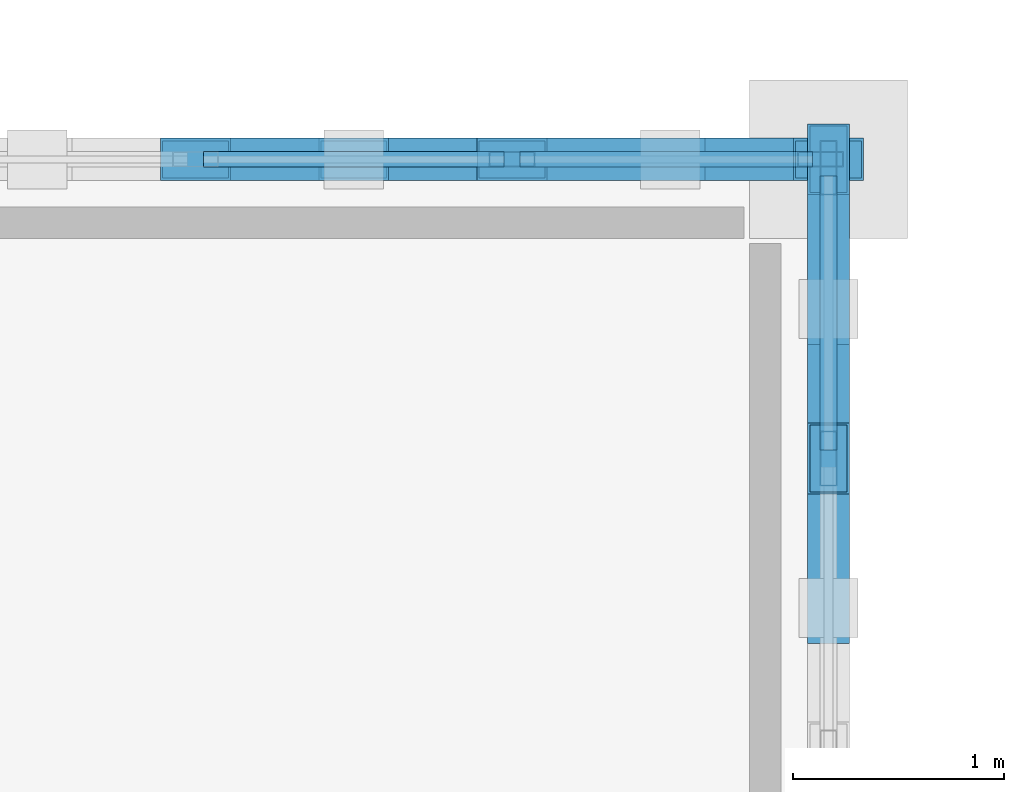
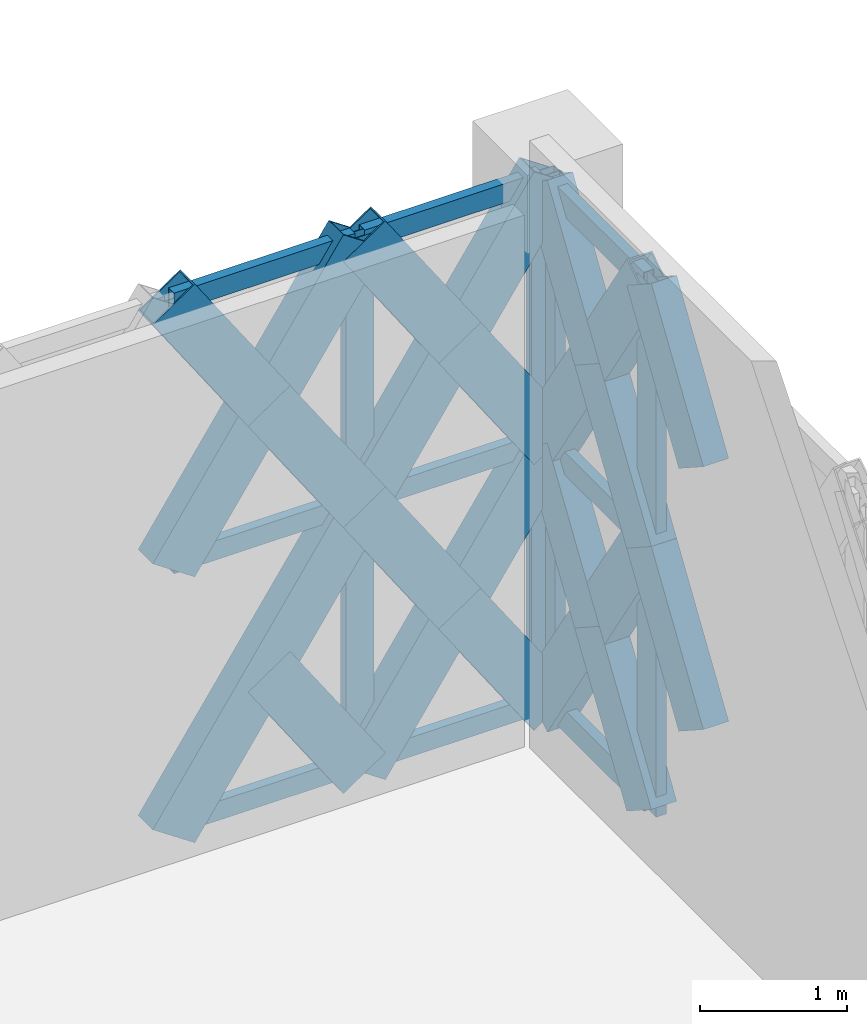
# One storey, part 96 of 166: 32 members, 2 elements without a shape of their own.
"""IFC4 building model written with IfcOpenShell, lengths in metres."""

import ifcopenshell
import ifcopenshell.guid

model = None  # the IFC model being written
_history = None  # IfcOwnerHistory: only IFC2X3 demands one
_inside = {}  # id of a spatial element -> (the spatial element, [elements in it])
_under = {}  # id of a project, library or spatial element -> (it, [spatial elements below it])
_declared = {}  # id of a project -> (the project, [libraries it declares])
_typed = {}  # id of a type object -> (the type object, [elements of that type])
_made_of = {}  # id of a material, layer set ... -> (it, [elements and type objects made of it])


def new_model(schema):
    """Start an empty IFC model of exactly this schema.

    Asked for "IFC4X3", IfcOpenShell would pick the latest addendum, in which some entities
    have other attributes; the version numbers below select the first issue.
    IFC2X3 requires an IfcOwnerHistory on every rooted entity: one is made here for all.
    """
    global model, _history
    if schema == "IFC4X3":
        model = ifcopenshell.file(schema_version=(4, 3, 0, 0))
    else:
        model = ifcopenshell.file(schema=schema)
    _inside.clear()
    _under.clear()
    _declared.clear()
    _typed.clear()
    _made_of.clear()
    _history = None
    if model.schema == "IFC2X3":
        org = make("IfcOrganization", Name="unknown")
        user = make(
            "IfcPersonAndOrganization",
            ThePerson=make("IfcPerson", FamilyName="unknown"),
            TheOrganization=org,
        )
        app = make(
            "IfcApplication",
            ApplicationDeveloper=org,
            Version="unknown",
            ApplicationFullName="unknown",
            ApplicationIdentifier="unknown",
        )
        _history = make(
            "IfcOwnerHistory",
            OwningUser=user,
            OwningApplication=app,
            ChangeAction="ADDED",
            CreationDate=0,
        )
    return model


def make(cls, **values):
    """One entity of the class cls with the attributes given. An attribute that is None is left unset."""
    return model.create_entity(
        cls, **{name: value for name, value in values.items() if value is not None}
    )


def rooted(cls, **values):
    """An entity with a GlobalId (a new one), such as an element, a storey or a relation."""
    return make(cls, GlobalId=ifcopenshell.guid.new(), OwnerHistory=_history, **values)


def si_unit(unit_type, name, prefix=None):
    """IfcSIUnit, for example si_unit("LENGTHUNIT", "METRE", prefix="MILLI")."""
    return make("IfcSIUnit", UnitType=unit_type, Prefix=prefix, Name=name)


def assignment(units):
    """IfcUnitAssignment: the units of a project."""
    return None if units is None else make("IfcUnitAssignment", Units=units)


def point(xyz):
    """IfcCartesianPoint."""
    return None if xyz is None else make("IfcCartesianPoint", Coordinates=xyz)


def direction(xyz):
    """IfcDirection."""
    return None if xyz is None else make("IfcDirection", DirectionRatios=xyz)


def frame(location, z_axis=None, x_axis=None):
    """IfcAxis2Placement3D, a coordinate frame: its origin and axes. An axis left out is left unset."""
    return make(
        "IfcAxis2Placement3D",
        Location=point(location),
        Axis=direction(z_axis),
        RefDirection=direction(x_axis),
    )


def frame_2d(location, x_axis=None):
    """IfcAxis2Placement2D, a coordinate frame in the plane: its origin and x axis."""
    return make(
        "IfcAxis2Placement2D", Location=point(location), RefDirection=direction(x_axis)
    )


def origin():
    """The frame at (0, 0, 0) with its axes left unset."""
    return frame((0.0, 0.0, 0.0))


def origin_2d():
    """The frame at (0, 0) in the plane with its x axis left unset."""
    return frame_2d((0.0, 0.0))


def place(relative_to, where):
    """IfcLocalPlacement: puts the frame where relative to a parent placement (None: the world)."""
    return make(
        "IfcLocalPlacement", PlacementRelTo=relative_to, RelativePlacement=where
    )


def context(
    kind, dimensions, precision=None, world=None, true_north=None, identifier=None
):
    """IfcGeometricRepresentationContext, for example the 3D "Model" context."""
    return make(
        "IfcGeometricRepresentationContext",
        ContextIdentifier=identifier,
        ContextType=kind,
        CoordinateSpaceDimension=dimensions,
        Precision=precision,
        WorldCoordinateSystem=world,
        TrueNorth=true_north,
    )


def subcontext(parent, identifier, kind, view, scale=None):
    """IfcGeometricRepresentationSubContext, for example "Body" below "Model"."""
    return make(
        "IfcGeometricRepresentationSubContext",
        ContextIdentifier=identifier,
        ContextType=kind,
        ParentContext=parent,
        TargetScale=scale,
        TargetView=view,
    )


def project(units=None, contexts=None):
    """IfcProject with its units and contexts."""
    return rooted(
        "IfcProject",
        Name="project",
        RepresentationContexts=contexts,
        UnitsInContext=assignment(units),
    )


def spatial(cls, under=None, at=None, **own):
    """A site, building, storey or space (cls), placed at a placement, below another one or the project."""
    s = rooted(cls, ObjectPlacement=at, **own)
    if under is not None:
        _under.setdefault(under.id(), (under, []))[1].append(s)
    return s


def profile(cls, at=None, kind="AREA", **sizes):
    """A parametric profile (cls). Its sizes go by their IFC names, for example OverallWidth=200.0."""
    return make(cls, ProfileType=kind, Position=at, **sizes)


def hollow_rectangle(**sizes):
    """IfcRectangleHollowProfileDef."""
    return profile("IfcRectangleHollowProfileDef", **sizes)


def extrude(swept, where, along, depth):
    """IfcExtrudedAreaSolid: the profile swept, set in the frame where, extruded along a direction by depth."""
    return make(
        "IfcExtrudedAreaSolid",
        SweptArea=swept,
        Position=where,
        ExtrudedDirection=direction(along),
        Depth=depth,
    )


def shape(context_of_items, identifier, shape_type, items):
    """IfcShapeRepresentation: the items that make up one representation, for example the "Body"."""
    return make(
        "IfcShapeRepresentation",
        ContextOfItems=context_of_items,
        RepresentationIdentifier=identifier,
        RepresentationType=shape_type,
        Items=items,
    )


def material(Name=None, Category=None):
    """IfcMaterial."""
    return make("IfcMaterial", Name=Name, Category=Category)


def material_profile(
    of_material, cross_section, Name=None, Category=None, Priority=None
):
    """IfcMaterialProfile: a cross section and its material."""
    return make(
        "IfcMaterialProfile",
        Name=Name,
        Material=of_material,
        Profile=cross_section,
        Priority=Priority,
        Category=Category,
    )


def profile_set(profiles, Name=None, composite=None):
    """IfcMaterialProfileSet."""
    return make(
        "IfcMaterialProfileSet",
        Name=Name,
        MaterialProfiles=profiles,
        CompositeProfile=composite,
    )


def made_of(thing, what):
    """Note that an element or type object is made of a material, layer set ...; save() writes the relation."""
    if what is not None:
        _made_of.setdefault(what.id(), (what, []))[1].append(thing)
    return thing


def type_object(cls, material=None, **own):
    """A type object (cls), such as IfcWallType, which elements share."""
    return made_of(rooted(cls, **own), material)


def element(
    cls,
    number,
    at=None,
    inside=None,
    cuts=None,
    type_object=None,
    material=None,
    context=None,
    identifier="Body",
    shape_type=None,
    held_by="IfcProductDefinitionShape",
    body=None,
    shapes=None,
    **own,
):
    """One element of the class cls, such as IfcWall. Its Tag is "e" and its number.

    at: its placement. inside: the storey or other place that contains it. cuts: it is an
    opening in that element (IfcRelVoidsElement). A single representation is given by context,
    identifier, shape_type and body (its items); several are given by shapes. held_by: the class
    of the entity that holds the representations. save() writes the other relations.
    """
    e = rooted(cls, Tag="e%d" % number, ObjectPlacement=at, **own)
    if body is not None:
        shapes = [shape(context, identifier, shape_type, body)]
    if shapes is not None:
        e.Representation = make(held_by, Representations=shapes)
    if inside is not None:
        _inside.setdefault(inside.id(), (inside, []))[1].append(e)
    if cuts is not None:
        rooted(
            "IfcRelVoidsElement", RelatingBuildingElement=cuts, RelatedOpeningElement=e
        )
    if type_object is not None:
        _typed.setdefault(type_object.id(), (type_object, []))[1].append(e)
    return made_of(e, material)


def aggregate(whole, parts):
    """IfcRelAggregates: a whole, such as a stair, and the parts it consists of."""
    return rooted("IfcRelAggregates", RelatingObject=whole, RelatedObjects=parts)


def save(model, path):
    """Write the relations noted so far, then the file.

    IfcRelAggregates (storeys below a building ...), IfcRelContainedInSpatialStructure (elements
    in a storey), IfcRelDefinesByType, IfcRelAssociatesMaterial and IfcRelDeclares: one each for
    every whole, place, type object, material and project.
    """
    for whole, parts in _under.values():
        aggregate(whole, parts)
    for where, things in _inside.values():
        rooted(
            "IfcRelContainedInSpatialStructure",
            RelatedElements=things,
            RelatingStructure=where,
        )
    for kind, things in _typed.values():
        rooted("IfcRelDefinesByType", RelatedObjects=things, RelatingType=kind)
    for what, things in _made_of.values():
        rooted("IfcRelAssociatesMaterial", RelatedObjects=things, RelatingMaterial=what)
    for by, libraries in _declared.values():
        rooted("IfcRelDeclares", RelatingContext=by, RelatedDefinitions=libraries)
    model.write(path)


model = new_model("IFC4")

# Units and contexts
model_context = context("Model", 3, precision=1e-05, world=origin(), true_north=direction((0.0, 1.0)))
body_context = subcontext(model_context, "Body", "Model", "MODEL_VIEW")
ifc_project = project(units=[si_unit("LENGTHUNIT", "METRE"), si_unit("AREAUNIT", "SQUARE_METRE"), si_unit("VOLUMEUNIT", "CUBIC_METRE"), si_unit("PLANEANGLEUNIT", "RADIAN"), si_unit("MASSUNIT", "GRAM", prefix="KILO")], contexts=[model_context])

# Site, building, storey
site_placement = place(None, origin())
site = spatial("IfcSite", under=ifc_project, at=site_placement, CompositionType="ELEMENT")
building_placement = place(site_placement, origin())
building = spatial("IfcBuilding", under=site, at=building_placement, Name="Haizhuo Lancet Aquarium", CompositionType="ELEMENT")
storey_placement = place(building_placement, frame((0.0, 0.0, 5.39990234375)))
storey = spatial("IfcBuildingStorey", under=building, at=storey_placement, Name="L01", CompositionType="ELEMENT", Elevation=5.39990234375)

# Curtain wall, members
ifc_material_1 = material(Name="Aluminium 6063-T6", Category="aluminium")
curtain_wall_type_1 = type_object("IfcCurtainWallType", Name="CWD-9000x4420", PredefinedType="NOTDEFINED", material=ifc_material_1)
curtain_wall_1_placement = place(storey_placement, origin())
curtain_wall_1 = element("IfcCurtainWall", 1, at=curtain_wall_1_placement, inside=storey, type_object=curtain_wall_type_1, Name="L01 curtain wall CW-V5-L01-134", PredefinedType="NOTDEFINED")
ifc_material_profile_1 = material_profile(ifc_material_1, hollow_rectangle(XDim=0.074951171875, YDim=0.219970703125, WallThickness=0.0048828125, at=origin_2d()), Name="ALU-M 75x220x5")
ifc_profile_set_1 = profile_set([ifc_material_profile_1], Name="Aluminium 6063-T6")
member_type_1 = type_object("IfcMemberType", Name="CW-MUL-2", PredefinedType="MULLION", material=ifc_profile_set_1)
member_1_placement = place(storey_placement, frame((25.5, 54.0, 0.0), z_axis=(0.0, 0.0, 1.0), x_axis=(0.0, 1.0, 0.0)))
member_1 = element("IfcMember", 2, at=member_1_placement, type_object=member_type_1, Name="CWD-90x44 mullion 6", PredefinedType="MULLION", context=body_context, shape_type="SweptSolid", body=[
    extrude(hollow_rectangle(XDim=0.074951171875, YDim=0.219970703125, WallThickness=0.0048828125, at=origin_2d()), origin(), (0.0, 0.0, 1.0), 4.425048828125),
])
member_2_placement = place(storey_placement, frame((26.9619140625, 54.0, 0.0), z_axis=(0.0, 0.0, 1.0), x_axis=(0.0, 1.0, 0.0)))
member_2 = element("IfcMember", 3, at=member_2_placement, type_object=member_type_1, Name="CWD-90x44 mullion 7", PredefinedType="MULLION", context=body_context, shape_type="SweptSolid", body=[
    extrude(hollow_rectangle(XDim=0.074951171875, YDim=0.219970703125, WallThickness=0.0048828125, at=origin_2d()), origin(), (0.0, 0.0, 1.0), 4.425048828125),
])

curtain_wall_type_2 = type_object("IfcCurtainWallType", Name="CWD-8510x4380", PredefinedType="NOTDEFINED", material=ifc_material_1)
curtain_wall_2_placement = place(storey_placement, origin())
curtain_wall_2 = element("IfcCurtainWall", 4, at=curtain_wall_2_placement, inside=storey, type_object=curtain_wall_type_2, Name="L01 curtain wall CW-V5-L01-135", PredefinedType="NOTDEFINED")
ifc_material_profile_2 = material_profile(ifc_material_1, hollow_rectangle(XDim=0.080078125, YDim=0.260009765625, WallThickness=0.0048828125, at=origin_2d()), Name="ALU-M 80x260x5")
ifc_profile_set_2 = profile_set([ifc_material_profile_2], Name="Aluminium 6063-T6")
member_type_2 = type_object("IfcMemberType", Name="CW-MUL-3", PredefinedType="MULLION", material=ifc_profile_set_2)
member_3_placement = place(storey_placement, frame((27.0, 53.9599609375, 0.0), z_axis=(0.0, 0.0, 1.0), x_axis=(1.0, 0.0, 0.0)))
member_3 = element("IfcMember", 5, at=member_3_placement, type_object=member_type_2, Name="CWD-85x43 mullion 1", PredefinedType="MULLION", context=body_context, shape_type="SweptSolid", body=[
    extrude(hollow_rectangle(XDim=0.080078125, YDim=0.260009765625, WallThickness=0.0048828125, at=origin_2d()), origin(), (0.0, 0.0, 1.0), 4.375),
])
member_4_placement = place(storey_placement, frame((27.0, 52.58203125, 0.0), z_axis=(0.0, 0.0, 1.0), x_axis=(1.0, 0.0, 0.0)))
member_4 = element("IfcMember", 6, at=member_4_placement, type_object=member_type_2, Name="CWD-85x43 mullion 2", PredefinedType="MULLION", context=body_context, shape_type="SweptSolid", body=[
    extrude(hollow_rectangle(XDim=0.080078125, YDim=0.260009765625, WallThickness=0.0048828125, at=origin_2d()), origin(), (0.0, 0.0, 1.0), 4.375),
])

# Member
ifc_material_profile_3 = material_profile(ifc_material_1, hollow_rectangle(XDim=0.074951171875, YDim=0.159912109375, WallThickness=0.00390625, at=origin_2d()), Name="ALU-T 75x160x4")
ifc_profile_set_3 = profile_set([ifc_material_profile_3], Name="Aluminium 6063-T6")
member_type_3 = type_object("IfcMemberType", Name="CW-TRN-2", PredefinedType="NOTDEFINED", material=ifc_profile_set_3)
member_5_placement = place(storey_placement, frame((24.0380859375, 54.0, 0.0380859375), z_axis=(1.0, 0.0, 0.0), x_axis=(0.0, 1.0, 0.0)))
member_5 = element("IfcMember", 7, at=member_5_placement, type_object=member_type_3, Name="CWD-90x44 transom 5.1", ObjectType="TRANSOM", PredefinedType="USERDEFINED", context=body_context, shape_type="SweptSolid", body=[
    extrude(hollow_rectangle(XDim=0.074951171875, YDim=0.159912109375, WallThickness=0.00390625, at=origin_2d()), origin(), (0.0, 0.0, 1.0), 1.423828125),
])

member_6_placement = place(storey_placement, frame((24.0380859375, 54.0, 2.212158203125), z_axis=(1.0, 0.0, 0.0), x_axis=(0.0, 1.0, 0.0)))
member_6 = element("IfcMember", 8, at=member_6_placement, type_object=member_type_3, Name="CWD-90x44 transom 5.2", ObjectType="TRANSOM", PredefinedType="USERDEFINED", context=body_context, shape_type="SweptSolid", body=[
    extrude(hollow_rectangle(XDim=0.074951171875, YDim=0.159912109375, WallThickness=0.00390625, at=origin_2d()), origin(), (0.0, 0.0, 1.0), 1.423828125),
])

member_7_placement = place(storey_placement, frame((24.0380859375, 54.0, 4.38720703125), z_axis=(1.0, 0.0, 0.0), x_axis=(0.0, 1.0, 0.0)))
member_7 = element("IfcMember", 9, at=member_7_placement, type_object=member_type_3, Name="CWD-90x44 transom 5.3", ObjectType="TRANSOM", PredefinedType="USERDEFINED", context=body_context, shape_type="SweptSolid", body=[
    extrude(hollow_rectangle(XDim=0.074951171875, YDim=0.159912109375, WallThickness=0.00390625, at=origin_2d()), origin(), (0.0, 0.0, 1.0), 1.423828125),
])

member_8_placement = place(storey_placement, frame((25.5380859375, 54.0, 0.0380859375), z_axis=(1.0, 0.0, 0.0), x_axis=(0.0, 1.0, 0.0)))
member_8 = element("IfcMember", 10, at=member_8_placement, type_object=member_type_3, Name="CWD-90x44 transom 6.1", ObjectType="TRANSOM", PredefinedType="USERDEFINED", context=body_context, shape_type="SweptSolid", body=[
    extrude(hollow_rectangle(XDim=0.074951171875, YDim=0.159912109375, WallThickness=0.00390625, at=origin_2d()), origin(), (0.0, 0.0, 1.0), 1.386962890625),
])

member_9_placement = place(storey_placement, frame((25.5380859375, 54.0, 2.212158203125), z_axis=(1.0, 0.0, 0.0), x_axis=(0.0, 1.0, 0.0)))
member_9 = element("IfcMember", 11, at=member_9_placement, type_object=member_type_3, Name="CWD-90x44 transom 6.2", ObjectType="TRANSOM", PredefinedType="USERDEFINED", context=body_context, shape_type="SweptSolid", body=[
    extrude(hollow_rectangle(XDim=0.074951171875, YDim=0.159912109375, WallThickness=0.00390625, at=origin_2d()), origin(), (0.0, 0.0, 1.0), 1.386962890625),
])

member_10_placement = place(storey_placement, frame((25.5380859375, 54.0, 4.38720703125), z_axis=(1.0, 0.0, 0.0), x_axis=(0.0, 1.0, 0.0)))
member_10 = element("IfcMember", 12, at=member_10_placement, type_object=member_type_3, Name="CWD-90x44 transom 6.3", ObjectType="TRANSOM", PredefinedType="USERDEFINED", context=body_context, shape_type="SweptSolid", body=[
    extrude(hollow_rectangle(XDim=0.074951171875, YDim=0.159912109375, WallThickness=0.00390625, at=origin_2d()), origin(), (0.0, 0.0, 1.0), 1.386962890625),
])

aggregate(curtain_wall_1, [member_1, member_2, member_5, member_6, member_7, member_8, member_9, member_10])

ifc_material_profile_4 = material_profile(ifc_material_1, hollow_rectangle(XDim=0.080078125, YDim=0.18994140625, WallThickness=0.0048828125, at=origin_2d()), Name="ALU-T 80x190x5")
ifc_profile_set_4 = profile_set([ifc_material_profile_4], Name="Aluminium 6063-T6")
member_type_4 = type_object("IfcMemberType", Name="CW-TRN-3", PredefinedType="NOTDEFINED", material=ifc_profile_set_4)
member_11_placement = place(storey_placement, frame((27.0, 53.919921875, 0.0400390625), z_axis=(0.0, -1.0, 0.0), x_axis=(1.0, 0.0, 0.0)))
member_11 = element("IfcMember", 13, at=member_11_placement, type_object=member_type_4, Name="CWD-85x43 transom 1.1", ObjectType="TRANSOM", PredefinedType="USERDEFINED", context=body_context, shape_type="SweptSolid", body=[
    extrude(hollow_rectangle(XDim=0.080078125, YDim=0.18994140625, WallThickness=0.0048828125, at=origin_2d()), origin(), (0.0, 0.0, 1.0), 1.296875),
])

member_12_placement = place(storey_placement, frame((27.0, 53.919921875, 2.18798828125), z_axis=(0.0, -1.0, 0.0), x_axis=(1.0, 0.0, 0.0)))
member_12 = element("IfcMember", 14, at=member_12_placement, type_object=member_type_4, Name="CWD-85x43 transom 1.2", ObjectType="TRANSOM", PredefinedType="USERDEFINED", context=body_context, shape_type="SweptSolid", body=[
    extrude(hollow_rectangle(XDim=0.080078125, YDim=0.18994140625, WallThickness=0.0048828125, at=origin_2d()), origin(), (0.0, 0.0, 1.0), 1.296875),
])

member_13_placement = place(storey_placement, frame((27.0, 53.919921875, 4.335205078125), z_axis=(0.0, -1.0, 0.0), x_axis=(1.0, 0.0, 0.0)))
member_13 = element("IfcMember", 15, at=member_13_placement, type_object=member_type_4, Name="CWD-85x43 transom 1.3", ObjectType="TRANSOM", PredefinedType="USERDEFINED", context=body_context, shape_type="SweptSolid", body=[
    extrude(hollow_rectangle(XDim=0.080078125, YDim=0.18994140625, WallThickness=0.0048828125, at=origin_2d()), origin(), (0.0, 0.0, 1.0), 1.296875),
])

aggregate(curtain_wall_2, [member_3, member_4, member_11, member_12, member_13])

# Members
ifc_material_2 = material(Name="Steel S355", Category="steel")
ifc_material_profile_5 = material_profile(ifc_material_2, hollow_rectangle(XDim=0.199951171875, YDim=0.39990234375, WallThickness=0.011962890625, at=origin_2d()), Name="RHS 200x400x12")
ifc_profile_set_5 = profile_set([ifc_material_profile_5], Name="Steel S355")
member_type_5 = type_object("IfcMemberType", Name="MEM-LB-RHS200x400", PredefinedType="BRACE", material=ifc_profile_set_5)
member_14_placement = place(storey_placement, frame((24.0, 54.0, 0.0), z_axis=(0.56121770031, 0.0, 0.82766822632), x_axis=(0.0, 1.0, 0.0)))
element("IfcMember", 16, at=member_14_placement, inside=storey, type_object=member_type_5, Name="Gothic lancet continuous diagonal brace CW-V5-L01-134 9A", PredefinedType="BRACE", context=body_context, shape_type="SweptSolid", body=[
    extrude(hollow_rectangle(XDim=0.199951171875, YDim=0.39990234375, WallThickness=0.011962890625, at=origin_2d()), origin(), (0.0, 0.0, 1.0), 2.6728515625),
])
member_15_placement = place(storey_placement, frame((25.5, 54.0, 0.0), z_axis=(-0.561175273292, 0.0, 0.827696993257), x_axis=(0.0, -1.0, 0.0)))
element("IfcMember", 17, at=member_15_placement, inside=storey, type_object=member_type_5, Name="Gothic lancet split diagonal brace CW-V5-L01-134 9B1", PredefinedType="BRACE", context=body_context, shape_type="SweptSolid", body=[
    extrude(hollow_rectangle(XDim=0.199951171875, YDim=0.39990234375, WallThickness=0.011962890625, at=origin_2d()), origin(), (0.0, 0.0, 1.0), 1.33642578125),
])
member_16_placement = place(storey_placement, frame((24.0, 54.0, 2.212158203125), z_axis=(0.561090434075, 0.0, 0.827754507562), x_axis=(0.0, 1.0, 0.0)))
element("IfcMember", 18, at=member_16_placement, inside=storey, type_object=member_type_5, Name="Gothic lancet continuous diagonal brace CW-V5-L01-134 10A", PredefinedType="BRACE", context=body_context, shape_type="SweptSolid", body=[
    extrude(hollow_rectangle(XDim=0.199951171875, YDim=0.39990234375, WallThickness=0.011962890625, at=origin_2d()), origin(), (0.0, 0.0, 1.0), 2.67333984375),
])
member_17_placement = place(storey_placement, frame((25.5, 54.0, 2.212158203125), z_axis=(-0.561260132269, 0.0, 0.827639452857), x_axis=(0.0, -1.0, 0.0)))
element("IfcMember", 19, at=member_17_placement, inside=storey, type_object=member_type_5, Name="Gothic lancet split diagonal brace CW-V5-L01-134 10B1", PredefinedType="BRACE", context=body_context, shape_type="SweptSolid", body=[
    extrude(hollow_rectangle(XDim=0.199951171875, YDim=0.39990234375, WallThickness=0.011962890625, at=origin_2d()), origin(), (0.0, 0.0, 1.0), 1.336181640625),
])
member_18_placement = place(storey_placement, frame((24.75, 54.0, 3.318115234375), z_axis=(-0.560920814911, 0.0, 0.827869457946), x_axis=(0.0, -1.0, 0.0)))
element("IfcMember", 20, at=member_18_placement, inside=storey, type_object=member_type_5, Name="Gothic lancet split diagonal brace CW-V5-L01-134 10B2", PredefinedType="BRACE", context=body_context, shape_type="SweptSolid", body=[
    extrude(hollow_rectangle(XDim=0.199951171875, YDim=0.39990234375, WallThickness=0.011962890625, at=origin_2d()), origin(), (0.0, 0.0, 1.0), 1.337158203125),
])
member_19_placement = place(storey_placement, frame((25.5, 54.0, 0.0), z_axis=(0.56121770031, 0.0, 0.82766822632), x_axis=(0.0, 1.0, 0.0)))
element("IfcMember", 21, at=member_19_placement, inside=storey, type_object=member_type_5, Name="Gothic lancet continuous diagonal brace CW-V5-L01-134 11A", PredefinedType="BRACE", context=body_context, shape_type="SweptSolid", body=[
    extrude(hollow_rectangle(XDim=0.199951171875, YDim=0.39990234375, WallThickness=0.011962890625, at=origin_2d()), origin(), (0.0, 0.0, 1.0), 2.6728515625),
])
member_20_placement = place(storey_placement, frame((27.0, 54.0, 0.0), z_axis=(-0.561175273292, 0.0, 0.827696993257), x_axis=(0.0, -1.0, 0.0)))
element("IfcMember", 22, at=member_20_placement, inside=storey, type_object=member_type_5, Name="Gothic lancet split diagonal brace CW-V5-L01-134 11B1", PredefinedType="BRACE", context=body_context, shape_type="SweptSolid", body=[
    extrude(hollow_rectangle(XDim=0.199951171875, YDim=0.39990234375, WallThickness=0.011962890625, at=origin_2d()), origin(), (0.0, 0.0, 1.0), 1.33642578125),
])
member_21_placement = place(storey_placement, frame((26.25, 54.0, 1.106201171875), z_axis=(-0.561260132269, 0.0, 0.827639452857), x_axis=(0.0, -1.0, 0.0)))
element("IfcMember", 23, at=member_21_placement, inside=storey, type_object=member_type_5, Name="Gothic lancet split diagonal brace CW-V5-L01-134 11B2", PredefinedType="BRACE", context=body_context, shape_type="SweptSolid", body=[
    extrude(hollow_rectangle(XDim=0.199951171875, YDim=0.39990234375, WallThickness=0.011962890625, at=origin_2d()), origin(), (0.0, 0.0, 1.0), 1.336181640625),
])
member_22_placement = place(storey_placement, frame((25.5, 54.0, 2.212158203125), z_axis=(0.561090434075, 0.0, 0.827754507562), x_axis=(0.0, 1.0, 0.0)))
element("IfcMember", 24, at=member_22_placement, inside=storey, type_object=member_type_5, Name="Gothic lancet continuous diagonal brace CW-V5-L01-134 12A", PredefinedType="BRACE", context=body_context, shape_type="SweptSolid", body=[
    extrude(hollow_rectangle(XDim=0.199951171875, YDim=0.39990234375, WallThickness=0.011962890625, at=origin_2d()), origin(), (0.0, 0.0, 1.0), 2.67333984375),
])
member_23_placement = place(storey_placement, frame((27.0, 54.0, 2.212158203125), z_axis=(-0.561260132269, 0.0, 0.827639452857), x_axis=(0.0, -1.0, 0.0)))
element("IfcMember", 25, at=member_23_placement, inside=storey, type_object=member_type_5, Name="Gothic lancet split diagonal brace CW-V5-L01-134 12B1", PredefinedType="BRACE", context=body_context, shape_type="SweptSolid", body=[
    extrude(hollow_rectangle(XDim=0.199951171875, YDim=0.39990234375, WallThickness=0.011962890625, at=origin_2d()), origin(), (0.0, 0.0, 1.0), 1.336181640625),
])
member_24_placement = place(storey_placement, frame((26.25, 54.0, 3.318115234375), z_axis=(-0.560920814911, 0.0, 0.827869457946), x_axis=(0.0, -1.0, 0.0)))
element("IfcMember", 26, at=member_24_placement, inside=storey, type_object=member_type_5, Name="Gothic lancet split diagonal brace CW-V5-L01-134 12B2", PredefinedType="BRACE", context=body_context, shape_type="SweptSolid", body=[
    extrude(hollow_rectangle(XDim=0.199951171875, YDim=0.39990234375, WallThickness=0.011962890625, at=origin_2d()), origin(), (0.0, 0.0, 1.0), 1.337158203125),
])
member_25_placement = place(storey_placement, frame((27.0, 54.0, 0.0), z_axis=(0.0, -0.543849052786, 0.839183059757), x_axis=(1.0, 0.0, 0.0)))
element("IfcMember", 27, at=member_25_placement, inside=storey, type_object=member_type_5, Name="Gothic lancet continuous diagonal brace CW-V5-L01-135 1A", PredefinedType="BRACE", context=body_context, shape_type="SweptSolid", body=[
    extrude(hollow_rectangle(XDim=0.199951171875, YDim=0.39990234375, WallThickness=0.011962890625, at=origin_2d()), origin(), (0.0, 0.0, 1.0), 2.607177734375),
])
for number, where, z_axis, x_axis, name in (
    (28, (27.0, 52.58203125, 0.0), (0.0, 0.543849052786, 0.839183059757), (-1.0, 0.0, 0.0), "Gothic lancet split diagonal brace CW-V5-L01-135 1B1"),
    (29, (27.0, 53.291015625, 1.093994140625), (0.0, 0.543849052786, 0.839183059757), (-1.0, 0.0, 0.0), "Gothic lancet split diagonal brace CW-V5-L01-135 1B2"),
):
    element("IfcMember", number, at=place(storey_placement, frame(where, z_axis=z_axis, x_axis=x_axis)), inside=storey, type_object=member_type_5, Name=name, PredefinedType="BRACE", context=body_context, shape_type="SweptSolid", body=[
        extrude(hollow_rectangle(XDim=0.199951171875, YDim=0.39990234375, WallThickness=0.011962890625, at=origin_2d()), origin(), (0.0, 0.0, 1.0), 1.3037109375),
    ])
member_26_placement = place(storey_placement, frame((27.0, 54.0, 2.18798828125), z_axis=(0.0, -0.544020036477, 0.839072225682), x_axis=(1.0, 0.0, 0.0)))
element("IfcMember", 30, at=member_26_placement, inside=storey, type_object=member_type_5, Name="Gothic lancet continuous diagonal brace CW-V5-L01-135 2A", PredefinedType="BRACE", context=body_context, shape_type="SweptSolid", body=[
    extrude(hollow_rectangle(XDim=0.199951171875, YDim=0.39990234375, WallThickness=0.011962890625, at=origin_2d()), origin(), (0.0, 0.0, 1.0), 2.6064453125),
])
member_27_placement = place(storey_placement, frame((27.0, 52.58203125, 2.18798828125), z_axis=(0.0, 0.544191105099, 0.838961287028), x_axis=(-1.0, 0.0, 0.0)))
element("IfcMember", 31, at=member_27_placement, inside=storey, type_object=member_type_5, Name="Gothic lancet split diagonal brace CW-V5-L01-135 2B1", PredefinedType="BRACE", context=body_context, shape_type="SweptSolid", body=[
    extrude(hollow_rectangle(XDim=0.199951171875, YDim=0.39990234375, WallThickness=0.011962890625, at=origin_2d()), origin(), (0.0, 0.0, 1.0), 1.302734375),
])
for number, where, z_axis, x_axis, name in (
    (32, (27.0, 53.291015625, 3.281005859375), (0.0, 0.543849052786, 0.839183059757), (-1.0, 0.0, 0.0), "Gothic lancet split diagonal brace CW-V5-L01-135 2B2"),
    (33, (27.0, 51.873046875, 1.093994140625), (0.0, 0.543849052786, 0.839183059757), (-1.0, 0.0, 0.0), "Gothic lancet split diagonal brace CW-V5-L01-135 3B2"),
    (34, (27.0, 51.873046875, 3.281005859375), (0.0, 0.543849052786, 0.839183059757), (-1.0, 0.0, 0.0), "Gothic lancet split diagonal brace CW-V5-L01-135 4B2"),
):
    element("IfcMember", number, at=place(storey_placement, frame(where, z_axis=z_axis, x_axis=x_axis)), inside=storey, type_object=member_type_5, Name=name, PredefinedType="BRACE", context=body_context, shape_type="SweptSolid", body=[
        extrude(hollow_rectangle(XDim=0.199951171875, YDim=0.39990234375, WallThickness=0.011962890625, at=origin_2d()), origin(), (0.0, 0.0, 1.0), 1.3037109375),
    ])

save(model, "model.ifc")
